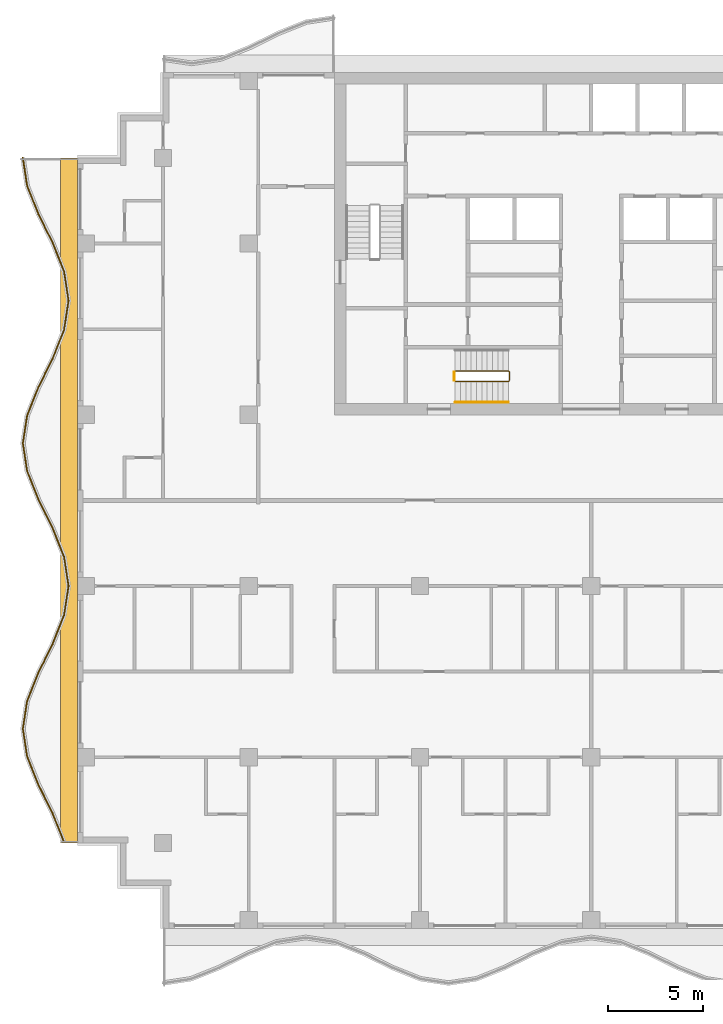
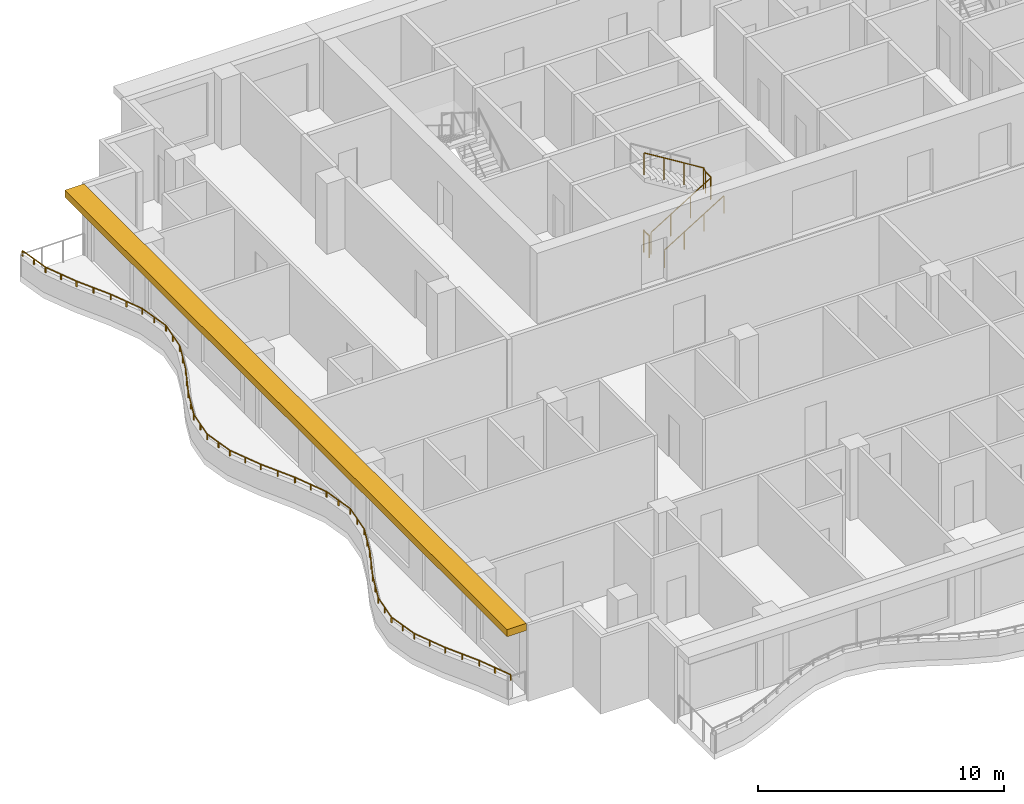
# One storey, part 9 of 11: 4 railings, 1 shading device.
"""IFC4 building model written with IfcOpenShell, lengths in metres."""

from ifc_helpers import new_model, si_unit, direction, frame, origin, origin_2d, place, context, subcontext, project, spatial, polyline, rectangle, circle, outline, extrude, material, layer, layer_set, type_object, element, save


model = new_model("IFC4")

# Units and contexts
model_context = context("Model", 3, precision=1e-05, world=origin(), true_north=direction((0.0, 1.0)))
body_context = subcontext(model_context, "Body", "Model", "MODEL_VIEW")
ifc_project = project(units=[si_unit("LENGTHUNIT", "METRE"), si_unit("AREAUNIT", "SQUARE_METRE"), si_unit("VOLUMEUNIT", "CUBIC_METRE"), si_unit("PLANEANGLEUNIT", "RADIAN"), si_unit("MASSUNIT", "GRAM", prefix="KILO")], contexts=[model_context])

# Site, building, storey
site_placement = place(None, origin())
site = spatial("IfcSite", under=ifc_project, at=site_placement, CompositionType="ELEMENT")
building_placement = place(site_placement, origin())
building = spatial("IfcBuilding", under=site, at=building_placement, Name="Orbiselva Terraces", CompositionType="ELEMENT")
storey_placement = place(building_placement, frame((0.0, 0.0, 280.6)))
storey = spatial("IfcBuildingStorey", under=building, at=storey_placement, Name="L71", CompositionType="ELEMENT", Elevation=280.6)

# Railings
ifc_material_1 = material(Name="Stainless steel", Category="steel")
railing_type_1 = type_object("IfcRailingType", Name="CORE-GUARD-1100", PredefinedType="GUARDRAIL", material=ifc_material_1)
railing_1_placement = place(storey_placement, frame((-7.15, 6.25, 0.172727)))
element("IfcRailing", 1, at=railing_1_placement, inside=storey, type_object=railing_type_1, Name="L71 S3 stair guard 1", PredefinedType="GUARDRAIL", context=body_context, shape_type="SweptSolid", body=[
    extrude(circle(Radius=0.024, at=origin_2d()), frame((0.0, 0.0, 1.081), z_axis=(0.851088519012, 0.0, 0.52502222125), x_axis=(0.0, 1.0, 0.0)), (0.0, 0.0, 1.0), 3.289905),
    extrude(circle(Radius=0.024, at=origin_2d()), frame((2.8, 0.0, 2.808273), z_axis=(0.707106781187, 0.707106781187, 0.0), x_axis=(-0.707106781187, 0.707106781187, 0.0)), (0.0, 0.0, 1.0), 0.070711),
    extrude(circle(Radius=0.024, at=origin_2d()), frame((2.85, 0.05, 2.808273), z_axis=(0.0, 1.0, 0.0), x_axis=(-1.0, 0.0, 0.0)), (0.0, 0.0, 1.0), 0.45),
    extrude(circle(Radius=0.024, at=origin_2d()), frame((2.85, 0.5, 2.808273), z_axis=(-0.267894925557, 0.267894925557, 0.925453736133), x_axis=(-0.707106781187, -0.707106781187, 0.0)), (0.0, 0.0, 1.0), 0.18664),
    extrude(circle(Radius=0.024, at=origin_2d()), frame((2.8, 0.55, 2.981), z_axis=(-0.851088519012, 0.0, 0.52502222125), x_axis=(0.0, -1.0, 0.0)), (0.0, 0.0, 1.0), 3.289905),
    extrude(circle(Radius=0.021, at=origin_2d()), origin(), (0.0, 0.0, 1.0), 1.057),
    extrude(circle(Radius=0.021, at=origin_2d()), frame((0.933333, 0.0, 0.575758)), (0.0, 0.0, 1.0), 1.057),
    extrude(circle(Radius=0.021, at=origin_2d()), frame((1.866667, 0.0, 1.151515)), (0.0, 0.0, 1.0), 1.057),
    extrude(circle(Radius=0.021, at=origin_2d()), frame((2.8, 0.0, 1.727273)), (0.0, 0.0, 1.0), 1.057),
    extrude(circle(Radius=0.021, at=origin_2d()), frame((2.85, 0.05, 1.727273)), (0.0, 0.0, 1.0), 1.057),
    extrude(circle(Radius=0.021, at=origin_2d()), frame((2.85, 0.5, 1.727273)), (0.0, 0.0, 1.0), 1.057),
    extrude(circle(Radius=0.021, at=origin_2d()), frame((2.8, 0.55, 1.9)), (0.0, 0.0, 1.0), 1.057),
    extrude(circle(Radius=0.021, at=origin_2d()), frame((1.866667, 0.55, 2.475758)), (0.0, 0.0, 1.0), 1.057),
    extrude(circle(Radius=0.021, at=origin_2d()), frame((0.933333, 0.55, 3.051515)), (0.0, 0.0, 1.0), 1.057),
    extrude(circle(Radius=0.021, at=origin_2d()), frame((0.0, 0.55, 3.627273)), (0.0, 0.0, 1.0), 1.057),
])
railing_2_placement = place(storey_placement, frame((-7.2, 6.3, 0.0)))
element("IfcRailing", 2, at=railing_2_placement, inside=storey, type_object=railing_type_1, Name="L71 S3 stair guard 2", PredefinedType="GUARDRAIL", context=body_context, shape_type="SweptSolid", body=[
    extrude(circle(Radius=0.024, at=origin_2d()), frame((0.0, 0.0, 1.081), z_axis=(0.0, 1.0, 0.0), x_axis=(-1.0, 0.0, 0.0)), (0.0, 0.0, 1.0), 0.45),
    extrude(circle(Radius=0.021, at=origin_2d()), origin(), (0.0, 0.0, 1.0), 1.057),
    extrude(circle(Radius=0.021, at=origin_2d()), frame((0.0, 0.45, 0.0)), (0.0, 0.0, 1.0), 1.057),
])
railing_type_2 = type_object("IfcRailingType", Name="CORE-HANDRAIL-900", PredefinedType="HANDRAIL", material=ifc_material_1)
railing_3_placement = place(storey_placement, frame((-7.15, 5.15, 0.172727)))
element("IfcRailing", 3, at=railing_3_placement, inside=storey, type_object=railing_type_2, Name="L71 S3 stair handrail 1", PredefinedType="HANDRAIL", context=body_context, shape_type="SweptSolid", body=[
    extrude(circle(Radius=0.024, at=origin_2d()), frame((0.0, 0.0, 0.876), z_axis=(0.851088519012, 0.0, 0.52502222125), x_axis=(0.0, 1.0, 0.0)), (0.0, 0.0, 1.0), 3.289905),
    extrude(circle(Radius=0.021, at=origin_2d()), origin(), (0.0, 0.0, 1.0), 0.852),
    extrude(circle(Radius=0.021, at=origin_2d()), frame((0.933333, 0.0, 0.575758)), (0.0, 0.0, 1.0), 0.852),
    extrude(circle(Radius=0.021, at=origin_2d()), frame((1.866667, 0.0, 1.151515)), (0.0, 0.0, 1.0), 0.852),
    extrude(circle(Radius=0.021, at=origin_2d()), frame((2.8, 0.0, 1.727273)), (0.0, 0.0, 1.0), 0.852),
])
ifc_material_2 = material(Name="Bonded two-ply safety glass balustrade, stainless steel posts", Category="steel")
railing_type_3 = type_object("IfcRailingType", Name="ENV-BALUSTRADE-1200", PredefinedType="BALUSTRADE", material=ifc_material_2)
railing_4_placement = place(storey_placement, frame((-29.876434, 18.018879, 0.9)))
element("IfcRailing", 4, at=railing_4_placement, inside=storey, type_object=railing_type_3, Name="Balcony balustrade L71 W", PredefinedType="BALUSTRADE", context=body_context, shape_type="SweptSolid", body=[
    extrude(outline(polyline([(0.028868, 0.0), (0.014434, 0.025), (-0.014434, 0.025), (-0.028868, 0.0), (-0.014434, -0.025), (0.014434, -0.025), (0.028868, 0.0)])), frame((0.0, 0.0, 0.275), z_axis=(0.151034103443, -0.988528552748, 0.0), x_axis=(0.988528552748, 0.151034103443, 0.0)), (0.0, 0.0, 1.0), 1.503038),
    extrude(outline(polyline([(0.028868, 0.0), (0.014434, 0.025), (-0.014434, 0.025), (-0.028868, 0.0), (-0.014434, -0.025), (0.014434, -0.025), (0.028868, 0.0)])), frame((0.22701, -1.485796, 0.275), z_axis=(0.371391000387, -0.928476561272, 0.0), x_axis=(0.928476561272, 0.371391000387, 0.0)), (0.0, 0.0, 1.0), 1.596261),
    extrude(outline(polyline([(0.028868, 0.0), (0.014434, 0.025), (-0.014434, 0.025), (-0.028868, 0.0), (-0.014434, -0.025), (0.014434, -0.025), (0.028868, 0.0)])), frame((0.819847, -2.967887, 0.275), z_axis=(0.443212307306, -0.896416672454, 0.0), x_axis=(0.896416672454, 0.443212307306, 0.0)), (0.0, 0.0, 1.0), 1.673329),
    extrude(outline(polyline([(0.028868, 0.0), (0.014434, 0.025), (-0.014434, 0.025), (-0.028868, 0.0), (-0.014434, -0.025), (0.014434, -0.025), (0.028868, 0.0)])), frame((1.561487, -4.467887, 0.275), z_axis=(0.371390359967, -0.92847681744, 0.0), x_axis=(0.92847681744, 0.371390359967, 0.0)), (0.0, 0.0, 1.0), 1.634838),
    extrude(outline(polyline([(0.028868, 0.0), (0.014434, 0.025), (-0.014434, 0.025), (-0.028868, 0.0), (-0.014434, -0.025), (0.014434, -0.025), (0.028868, 0.0)])), frame((2.16865, -5.985796, 0.275), z_axis=(0.151034211256, -0.988528536275, 0.0), x_axis=(0.988528536275, 0.151034211256, 0.0)), (0.0, 0.0, 1.0), 1.550874),
    extrude(outline(polyline([(0.028868, 0.0), (0.014434, 0.025), (-0.014434, 0.025), (-0.028868, 0.0), (-0.014434, -0.025), (0.014434, -0.025), (0.028868, 0.0)])), frame((2.402885, -7.518879, 0.275), z_axis=(-0.151034211256, -0.988528536275, 0.0), x_axis=(0.988528536275, -0.151034211256, 0.0)), (0.0, 0.0, 1.0), 1.550874),
    extrude(outline(polyline([(0.028868, 0.0), (0.014434, 0.025), (-0.014434, 0.025), (-0.028868, 0.0), (-0.014434, -0.025), (0.014434, -0.025), (0.028868, 0.0)])), frame((2.16865, -9.051962, 0.275), z_axis=(-0.371390359967, -0.92847681744, 0.0), x_axis=(0.92847681744, -0.371390359967, 0.0)), (0.0, 0.0, 1.0), 1.634838),
    extrude(outline(polyline([(0.028868, 0.0), (0.014434, 0.025), (-0.014434, 0.025), (-0.028868, 0.0), (-0.014434, -0.025), (0.014434, -0.025), (0.028868, 0.0)])), frame((1.561487, -10.569871, 0.275), z_axis=(-0.443212307306, -0.896416672454, 0.0), x_axis=(0.896416672454, -0.443212307306, 0.0)), (0.0, 0.0, 1.0), 1.673329),
    extrude(outline(polyline([(0.028868, 0.0), (0.014434, 0.025), (-0.014434, 0.025), (-0.028868, 0.0), (-0.014434, -0.025), (0.014434, -0.025), (0.028868, 0.0)])), frame((0.819847, -12.069871, 0.275), z_axis=(-0.371391000387, -0.928476561272, 0.0), x_axis=(0.928476561272, -0.371391000387, 0.0)), (0.0, 0.0, 1.0), 1.596261),
    extrude(outline(polyline([(0.028868, 0.0), (0.014434, 0.025), (-0.014434, 0.025), (-0.028868, 0.0), (-0.014434, -0.025), (0.014434, -0.025), (0.028868, 0.0)])), frame((0.22701, -13.551962, 0.275), z_axis=(-0.151033749027, -0.988528606898, 0.0), x_axis=(0.988528606898, -0.151033749027, 0.0)), (0.0, 0.0, 1.0), 1.48394),
    extrude(outline(polyline([(0.028868, 0.0), (0.014434, 0.025), (-0.014434, 0.025), (-0.028868, 0.0), (-0.014434, -0.025), (0.014434, -0.025), (0.028868, 0.0)])), frame((0.002885, -15.018879, 0.275), z_axis=(0.151033749027, -0.988528606898, 0.0), x_axis=(0.988528606898, 0.151033749027, 0.0)), (0.0, 0.0, 1.0), 1.48394),
    extrude(outline(polyline([(0.028868, 0.0), (0.014434, 0.025), (-0.014434, 0.025), (-0.028868, 0.0), (-0.014434, -0.025), (0.014434, -0.025), (0.028868, 0.0)])), frame((0.22701, -16.485796, 0.275), z_axis=(0.371391000387, -0.928476561272, 0.0), x_axis=(0.928476561272, 0.371391000387, 0.0)), (0.0, 0.0, 1.0), 1.596261),
    extrude(outline(polyline([(0.028868, 0.0), (0.014434, 0.025), (-0.014434, 0.025), (-0.028868, 0.0), (-0.014434, -0.025), (0.014434, -0.025), (0.028868, 0.0)])), frame((0.819847, -17.967887, 0.275), z_axis=(0.443212307306, -0.896416672454, 0.0), x_axis=(0.896416672454, 0.443212307306, 0.0)), (0.0, 0.0, 1.0), 1.673329),
    extrude(outline(polyline([(0.028868, 0.0), (0.014434, 0.025), (-0.014434, 0.025), (-0.028868, 0.0), (-0.014434, -0.025), (0.014434, -0.025), (0.028868, 0.0)])), frame((1.561487, -19.467887, 0.275), z_axis=(0.371390359967, -0.92847681744, 0.0), x_axis=(0.92847681744, 0.371390359967, 0.0)), (0.0, 0.0, 1.0), 1.634838),
    extrude(outline(polyline([(0.028868, 0.0), (0.014434, 0.025), (-0.014434, 0.025), (-0.028868, 0.0), (-0.014434, -0.025), (0.014434, -0.025), (0.028868, 0.0)])), frame((2.16865, -20.985796, 0.275), z_axis=(0.151034211256, -0.988528536275, 0.0), x_axis=(0.988528536275, 0.151034211256, 0.0)), (0.0, 0.0, 1.0), 1.550874),
    extrude(outline(polyline([(0.028868, 0.0), (0.014434, 0.025), (-0.014434, 0.025), (-0.028868, 0.0), (-0.014434, -0.025), (0.014434, -0.025), (0.028868, 0.0)])), frame((2.402885, -22.518879, 0.275), z_axis=(-0.151034211256, -0.988528536275, 0.0), x_axis=(0.988528536275, -0.151034211256, 0.0)), (0.0, 0.0, 1.0), 1.550874),
    extrude(outline(polyline([(0.028868, 0.0), (0.014434, 0.025), (-0.014434, 0.025), (-0.028868, 0.0), (-0.014434, -0.025), (0.014434, -0.025), (0.028868, 0.0)])), frame((2.16865, -24.051962, 0.275), z_axis=(-0.371390359967, -0.92847681744, 0.0), x_axis=(0.92847681744, -0.371390359967, 0.0)), (0.0, 0.0, 1.0), 1.634838),
    extrude(outline(polyline([(0.028868, 0.0), (0.014434, 0.025), (-0.014434, 0.025), (-0.028868, 0.0), (-0.014434, -0.025), (0.014434, -0.025), (0.028868, 0.0)])), frame((1.561487, -25.569871, 0.275), z_axis=(-0.443212307306, -0.896416672454, 0.0), x_axis=(0.896416672454, -0.443212307306, 0.0)), (0.0, 0.0, 1.0), 1.673329),
    extrude(outline(polyline([(0.028868, 0.0), (0.014434, 0.025), (-0.014434, 0.025), (-0.028868, 0.0), (-0.014434, -0.025), (0.014434, -0.025), (0.028868, 0.0)])), frame((0.819847, -27.069871, 0.275), z_axis=(-0.371391000387, -0.928476561272, 0.0), x_axis=(0.928476561272, -0.371391000387, 0.0)), (0.0, 0.0, 1.0), 1.596261),
    extrude(outline(polyline([(0.028868, 0.0), (0.014434, 0.025), (-0.014434, 0.025), (-0.028868, 0.0), (-0.014434, -0.025), (0.014434, -0.025), (0.028868, 0.0)])), frame((0.22701, -28.551962, 0.275), z_axis=(-0.151033749027, -0.988528606898, 0.0), x_axis=(0.988528606898, -0.151033749027, 0.0)), (0.0, 0.0, 1.0), 1.48394),
    extrude(outline(polyline([(0.028868, 0.0), (0.014434, 0.025), (-0.014434, 0.025), (-0.028868, 0.0), (-0.014434, -0.025), (0.014434, -0.025), (0.028868, 0.0)])), frame((0.002885, -30.018879, 0.275), z_axis=(0.151033749027, -0.988528606898, 0.0), x_axis=(0.988528606898, 0.151033749027, 0.0)), (0.0, 0.0, 1.0), 1.48394),
    extrude(outline(polyline([(0.028868, 0.0), (0.014434, 0.025), (-0.014434, 0.025), (-0.028868, 0.0), (-0.014434, -0.025), (0.014434, -0.025), (0.028868, 0.0)])), frame((0.22701, -31.485796, 0.275), z_axis=(0.371391000387, -0.928476561272, 0.0), x_axis=(0.928476561272, 0.371391000387, 0.0)), (0.0, 0.0, 1.0), 1.596261),
    extrude(outline(polyline([(0.028868, 0.0), (0.014434, 0.025), (-0.014434, 0.025), (-0.028868, 0.0), (-0.014434, -0.025), (0.014434, -0.025), (0.028868, 0.0)])), frame((0.819847, -32.967887, 0.275), z_axis=(0.443212307306, -0.896416672454, 0.0), x_axis=(0.896416672454, 0.443212307306, 0.0)), (0.0, 0.0, 1.0), 1.673329),
    extrude(outline(polyline([(0.028868, 0.0), (0.014434, 0.025), (-0.014434, 0.025), (-0.028868, 0.0), (-0.014434, -0.025), (0.014434, -0.025), (0.028868, 0.0)])), frame((1.561487, -34.467887, 0.275), z_axis=(0.371390569957, -0.928476733444, 0.0), x_axis=(0.928476733444, 0.371390569957, 0.0)), (0.0, 0.0, 1.0), 1.620469),
    extrude(rectangle(XDim=0.05, YDim=0.05, at=origin_2d()), origin(), (0.0, 0.0, 1.0), 0.25),
    extrude(rectangle(XDim=0.05, YDim=0.05, at=origin_2d()), frame((0.113505, -0.742898, 0.0)), (0.0, 0.0, 1.0), 0.25),
    extrude(rectangle(XDim=0.05, YDim=0.05, at=origin_2d()), frame((0.22701, -1.485796, 0.0)), (0.0, 0.0, 1.0), 0.25),
    extrude(rectangle(XDim=0.05, YDim=0.05, at=origin_2d()), frame((0.523428, -2.226841, 0.0)), (0.0, 0.0, 1.0), 0.25),
    extrude(rectangle(XDim=0.05, YDim=0.05, at=origin_2d()), frame((0.819847, -2.967887, 0.0)), (0.0, 0.0, 1.0), 0.25),
    extrude(rectangle(XDim=0.05, YDim=0.05, at=origin_2d()), frame((1.190667, -3.717887, 0.0)), (0.0, 0.0, 1.0), 0.25),
    extrude(rectangle(XDim=0.05, YDim=0.05, at=origin_2d()), frame((1.561487, -4.467887, 0.0)), (0.0, 0.0, 1.0), 0.25),
    extrude(rectangle(XDim=0.05, YDim=0.05, at=origin_2d()), frame((1.865068, -5.226841, 0.0)), (0.0, 0.0, 1.0), 0.25),
    extrude(rectangle(XDim=0.05, YDim=0.05, at=origin_2d()), frame((2.16865, -5.985796, 0.0)), (0.0, 0.0, 1.0), 0.25),
    extrude(rectangle(XDim=0.05, YDim=0.05, at=origin_2d()), frame((2.285768, -6.752337, 0.0)), (0.0, 0.0, 1.0), 0.25),
    extrude(rectangle(XDim=0.05, YDim=0.05, at=origin_2d()), frame((2.402885, -7.518879, 0.0)), (0.0, 0.0, 1.0), 0.25),
    extrude(rectangle(XDim=0.05, YDim=0.05, at=origin_2d()), frame((2.285768, -8.28542, 0.0)), (0.0, 0.0, 1.0), 0.25),
    extrude(rectangle(XDim=0.05, YDim=0.05, at=origin_2d()), frame((2.16865, -9.051962, 0.0)), (0.0, 0.0, 1.0), 0.25),
    extrude(rectangle(XDim=0.05, YDim=0.05, at=origin_2d()), frame((1.865068, -9.810916, 0.0)), (0.0, 0.0, 1.0), 0.25),
    extrude(rectangle(XDim=0.05, YDim=0.05, at=origin_2d()), frame((1.561487, -10.569871, 0.0)), (0.0, 0.0, 1.0), 0.25),
    extrude(rectangle(XDim=0.05, YDim=0.05, at=origin_2d()), frame((1.190667, -11.319871, 0.0)), (0.0, 0.0, 1.0), 0.25),
    extrude(rectangle(XDim=0.05, YDim=0.05, at=origin_2d()), frame((0.819847, -12.069871, 0.0)), (0.0, 0.0, 1.0), 0.25),
    extrude(rectangle(XDim=0.05, YDim=0.05, at=origin_2d()), frame((0.523428, -12.810916, 0.0)), (0.0, 0.0, 1.0), 0.25),
    extrude(rectangle(XDim=0.05, YDim=0.05, at=origin_2d()), frame((0.22701, -13.551962, 0.0)), (0.0, 0.0, 1.0), 0.25),
    extrude(rectangle(XDim=0.05, YDim=0.05, at=origin_2d()), frame((0.114947, -14.28542, 0.0)), (0.0, 0.0, 1.0), 0.25),
    extrude(rectangle(XDim=0.05, YDim=0.05, at=origin_2d()), frame((0.002885, -15.018879, 0.0)), (0.0, 0.0, 1.0), 0.25),
    extrude(rectangle(XDim=0.05, YDim=0.05, at=origin_2d()), frame((0.114947, -15.752337, 0.0)), (0.0, 0.0, 1.0), 0.25),
    extrude(rectangle(XDim=0.05, YDim=0.05, at=origin_2d()), frame((0.22701, -16.485796, 0.0)), (0.0, 0.0, 1.0), 0.25),
    extrude(rectangle(XDim=0.05, YDim=0.05, at=origin_2d()), frame((0.523428, -17.226842, 0.0)), (0.0, 0.0, 1.0), 0.25),
    extrude(rectangle(XDim=0.05, YDim=0.05, at=origin_2d()), frame((0.819847, -17.967887, 0.0)), (0.0, 0.0, 1.0), 0.25),
    extrude(rectangle(XDim=0.05, YDim=0.05, at=origin_2d()), frame((1.190667, -18.717887, 0.0)), (0.0, 0.0, 1.0), 0.25),
    extrude(rectangle(XDim=0.05, YDim=0.05, at=origin_2d()), frame((1.561487, -19.467887, 0.0)), (0.0, 0.0, 1.0), 0.25),
    extrude(rectangle(XDim=0.05, YDim=0.05, at=origin_2d()), frame((1.865068, -20.226842, 0.0)), (0.0, 0.0, 1.0), 0.25),
    extrude(rectangle(XDim=0.05, YDim=0.05, at=origin_2d()), frame((2.16865, -20.985796, 0.0)), (0.0, 0.0, 1.0), 0.25),
    extrude(rectangle(XDim=0.05, YDim=0.05, at=origin_2d()), frame((2.285768, -21.752337, 0.0)), (0.0, 0.0, 1.0), 0.25),
    extrude(rectangle(XDim=0.05, YDim=0.05, at=origin_2d()), frame((2.402885, -22.518879, 0.0)), (0.0, 0.0, 1.0), 0.25),
    extrude(rectangle(XDim=0.05, YDim=0.05, at=origin_2d()), frame((2.285768, -23.28542, 0.0)), (0.0, 0.0, 1.0), 0.25),
    extrude(rectangle(XDim=0.05, YDim=0.05, at=origin_2d()), frame((2.16865, -24.051962, 0.0)), (0.0, 0.0, 1.0), 0.25),
    extrude(rectangle(XDim=0.05, YDim=0.05, at=origin_2d()), frame((1.865068, -24.810916, 0.0)), (0.0, 0.0, 1.0), 0.25),
    extrude(rectangle(XDim=0.05, YDim=0.05, at=origin_2d()), frame((1.561487, -25.569871, 0.0)), (0.0, 0.0, 1.0), 0.25),
    extrude(rectangle(XDim=0.05, YDim=0.05, at=origin_2d()), frame((1.190667, -26.319871, 0.0)), (0.0, 0.0, 1.0), 0.25),
    extrude(rectangle(XDim=0.05, YDim=0.05, at=origin_2d()), frame((0.819847, -27.069871, 0.0)), (0.0, 0.0, 1.0), 0.25),
    extrude(rectangle(XDim=0.05, YDim=0.05, at=origin_2d()), frame((0.523428, -27.810916, 0.0)), (0.0, 0.0, 1.0), 0.25),
    extrude(rectangle(XDim=0.05, YDim=0.05, at=origin_2d()), frame((0.22701, -28.551962, 0.0)), (0.0, 0.0, 1.0), 0.25),
    extrude(rectangle(XDim=0.05, YDim=0.05, at=origin_2d()), frame((0.114947, -29.28542, 0.0)), (0.0, 0.0, 1.0), 0.25),
    extrude(rectangle(XDim=0.05, YDim=0.05, at=origin_2d()), frame((0.002885, -30.018879, 0.0)), (0.0, 0.0, 1.0), 0.25),
    extrude(rectangle(XDim=0.05, YDim=0.05, at=origin_2d()), frame((0.114947, -30.752338, 0.0)), (0.0, 0.0, 1.0), 0.25),
    extrude(rectangle(XDim=0.05, YDim=0.05, at=origin_2d()), frame((0.22701, -31.485796, 0.0)), (0.0, 0.0, 1.0), 0.25),
    extrude(rectangle(XDim=0.05, YDim=0.05, at=origin_2d()), frame((0.523428, -32.226842, 0.0)), (0.0, 0.0, 1.0), 0.25),
    extrude(rectangle(XDim=0.05, YDim=0.05, at=origin_2d()), frame((0.819847, -32.967887, 0.0)), (0.0, 0.0, 1.0), 0.25),
    extrude(rectangle(XDim=0.05, YDim=0.05, at=origin_2d()), frame((1.190667, -33.717887, 0.0)), (0.0, 0.0, 1.0), 0.25),
    extrude(rectangle(XDim=0.05, YDim=0.05, at=origin_2d()), frame((1.561487, -34.467887, 0.0)), (0.0, 0.0, 1.0), 0.25),
    extrude(rectangle(XDim=0.05, YDim=0.05, at=origin_2d()), frame((1.8624, -35.220171, 0.0)), (0.0, 0.0, 1.0), 0.25),
    extrude(rectangle(XDim=0.05, YDim=0.05, at=origin_2d()), frame((2.163314, -35.972455, 0.0)), (0.0, 0.0, 1.0), 0.25),
])

# Shading device
ifc_material_3 = material(Name="Terracotta baguette sunshade", Category="masonry")
ifc_layer = layer(ifc_material_3, 0.35)
ifc_layer_set = layer_set([ifc_layer], Name="Terracotta baguette sunshade")
shading_device_type = type_object("IfcShadingDeviceType", Name="ENV-SUNSHADE-900x350", PredefinedType="USERDEFINED", material=ifc_layer_set)
shading_device_placement = place(storey_placement, frame((0.0, 0.0, 3.15)))
element("IfcShadingDevice", 5, at=shading_device_placement, inside=storey, type_object=shading_device_type, Name="Sunshade band L71 W", ObjectType="SUNSHADE", PredefinedType="USERDEFINED", context=body_context, shape_type="SweptSolid", body=[
    extrude(outline(polyline([(-27.9, 18.0), (-27.9, -18.0), (-27.0, -18.0), (-27.0, 18.0), (-27.9, 18.0)])), origin(), (0.0, 0.0, 1.0), 0.35),
])

save(model, "model.ifc")
